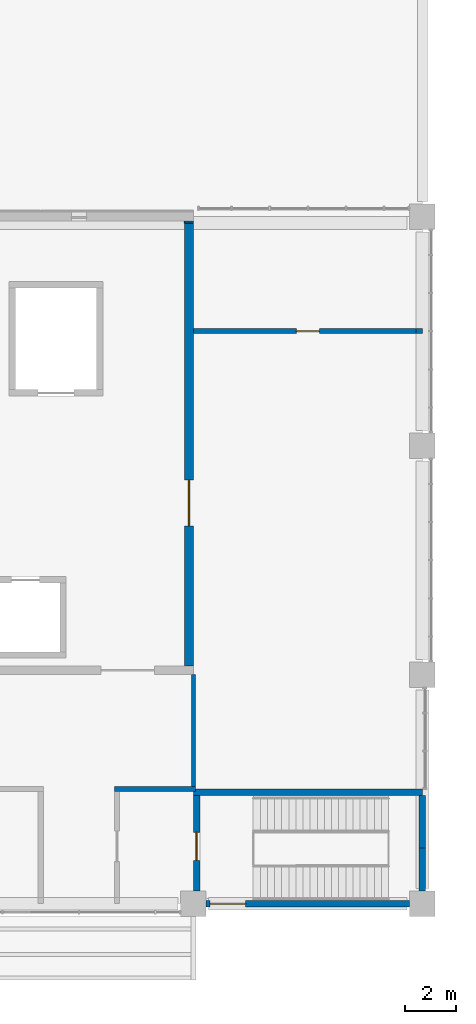
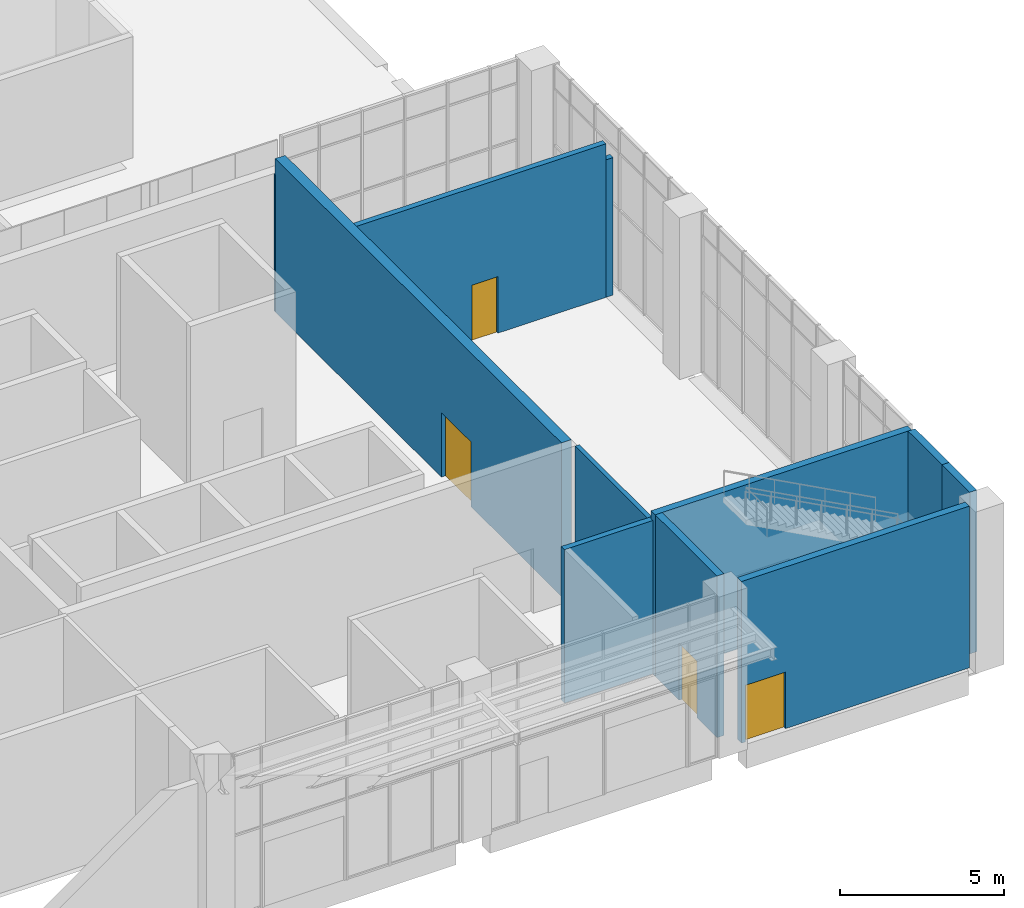
# One storey, part 61 of 86: 11 walls, 4 doors, 4 openings.
"""IFC4 building model written with IfcOpenShell, lengths in metres."""

from ifc_helpers import new_model, si_unit, direction, frame, frame_2d, origin, place, context, subcontext, project, spatial, rectangle, extrude, material, layer, layer_set, type_object, element, fill, save


model = new_model("IFC4")

# Units and contexts
model_context = context("Model", 3, precision=1e-05, world=origin(), true_north=direction((0.0, 1.0)))
body_context = subcontext(model_context, "Body", "Model", "MODEL_VIEW")
ifc_project = project(units=[si_unit("LENGTHUNIT", "METRE"), si_unit("AREAUNIT", "SQUARE_METRE"), si_unit("VOLUMEUNIT", "CUBIC_METRE"), si_unit("PLANEANGLEUNIT", "RADIAN"), si_unit("MASSUNIT", "GRAM", prefix="KILO")], contexts=[model_context])

# Site, building, storey
site_placement = place(None, origin())
site = spatial("IfcSite", under=ifc_project, at=site_placement, CompositionType="ELEMENT")
building_placement = place(site_placement, origin())
building = spatial("IfcBuilding", under=site, at=building_placement, Name="Guidao Yard Department Store", CompositionType="ELEMENT")
storey_placement = place(building_placement, origin())
storey = spatial("IfcBuildingStorey", under=building, at=storey_placement, Name="L00", CompositionType="ELEMENT", Elevation=0.0)

# Wall
ifc_material_1 = material(Name="Gypsum Board")
ifc_layer_1 = layer(ifc_material_1, 0.14990234375)
ifc_layer_set_1 = layer_set([ifc_layer_1], Name="Corridor Partition 150 Gypsum Board EI 60")
wall_type_1 = type_object("IfcWallType", Name="Corridor Partition 150 Gypsum Board EI 60", PredefinedType="PARTITIONING", material=ifc_layer_set_1)
wall_1_placement = place(storey_placement, frame((162.0, 4.60009765625, 0.0), z_axis=(0.0, 0.0, 1.0), x_axis=(0.0, 1.0, 0.0)))
element("IfcWall", 1, at=wall_1_placement, inside=storey, type_object=wall_type_1, Name="pt.wall.L00.0027", PredefinedType="PARTITIONING", context=body_context, shape_type="SweptSolid", body=[
    extrude(rectangle(XDim=4.39990234375, YDim=0.14990234375, at=frame_2d((2.199951171875, 0.0))), origin(), (0.0, 0.0, 1.0), 5.699951171875),
])

# Wall, opening, door
ifc_material_2 = material(Name="Autoclaved aerated concrete block A3.5 B06", Category="concrete")
ifc_layer_2 = layer(ifc_material_2, 0.199951171875)
ifc_layer_set_2 = layer_set([ifc_layer_2], Name="Fire Wall 200 Autoclaved Block EI 120")
wall_type_2 = type_object("IfcWallType", Name="Fire Wall 200 Autoclaved Block EI 120", PredefinedType="PARTITIONING", material=ifc_layer_set_2)
wall_2_placement = place(storey_placement, frame((162.0, 22.5, 0.0), z_axis=(0.0, 0.0, 1.0), x_axis=(1.0, 0.0, 0.0)))
wall_2 = element("IfcWall", 2, at=wall_2_placement, inside=storey, type_object=wall_type_2, Name="pt.wall.L00.0013", PredefinedType="PARTITIONING", context=body_context, shape_type="SweptSolid", body=[
    extrude(rectangle(XDim=8.75, YDim=0.199951171875, at=frame_2d((4.375, 0.0))), origin(), (0.0, 0.0, 1.0), 5.699951171875),
])
opening_1_placement = place(wall_2_placement, frame((4.050048828125, 0.0, 0.0)))
opening_1 = element("IfcOpeningElement", 3, at=opening_1_placement, cuts=wall_2, Name="Opening L00-413", PredefinedType="OPENING", context=body_context, shape_type="SweptSolid", body=[
    extrude(rectangle(XDim=0.89990234375, YDim=2.10009765625, at=frame_2d((0.449951171875, 1.050048828125))), frame((0.0, 0.10986328125, 0.0), z_axis=(0.0, -1.0, 0.0), x_axis=(1.0, 0.0, 0.0)), (0.0, 0.0, 1.0), 0.219970703125),
])
ifc_material_3 = material(Name="Timber door leaf with Steel Q235 frame", Category="steel")
door_type_1 = type_object("IfcDoorType", Name="Door 900 x 2100 FD60 Single Leaf", OperationType="SINGLE_SWING_LEFT", PredefinedType="DOOR", material=ifc_material_3)
door_1_placement = place(opening_1_placement, origin())
door_1 = element("IfcDoor", 4, at=door_1_placement, inside=storey, type_object=door_type_1, Name="Door L00-413", OperationType="SINGLE_SWING_RIGHT", OverallHeight=2.10009765625, OverallWidth=0.89990234375, PredefinedType="DOOR", context=body_context, shape_type="SweptSolid", body=[
    extrude(rectangle(XDim=0.89990234375, YDim=2.10009765625, at=frame_2d((0.449951171875, 1.050048828125))), frame((0.0, 0.02490234375, 0.0), z_axis=(0.0, -1.0, 0.0), x_axis=(1.0, 0.0, 0.0)), (0.0, 0.0, 1.0), 0.050048828125),
])
fill(opening_1, door_1)

# Walls
wall_3_placement = place(storey_placement, frame((170.75, 22.5, 0.0), z_axis=(0.0, 0.0, 1.0), x_axis=(1.0, 0.0, 0.0)))
element("IfcWall", 5, at=wall_3_placement, inside=storey, type_object=wall_type_2, Name="pt.wall.L00.0013a", PredefinedType="PARTITIONING", context=body_context, shape_type="SweptSolid", body=[
    extrude(rectangle(XDim=0.25, YDim=0.199951171875, at=frame_2d((0.125, 0.0))), origin(), (0.0, 0.0, 1.0), 5.10009765625),
])
ifc_material_4 = material(Name="Autoclaved aerated concrete block A3.5 B06", Category="concrete")
ifc_layer_3 = layer(ifc_material_4, 0.199951171875)
ifc_layer_set_3 = layer_set([ifc_layer_3], Name="Shaft Wall 200 Autoclaved Block EI 120")
wall_type_3 = type_object("IfcWallType", Name="Shaft Wall 200 Autoclaved Block EI 120", PredefinedType="PARTITIONING", material=ifc_layer_set_3)
wall_4_placement = place(storey_placement, frame((158.89990234375, 4.5, 0.0), z_axis=(0.0, 0.0, 1.0), x_axis=(1.0, 0.0, 0.0)))
element("IfcWall", 6, at=wall_4_placement, inside=storey, type_object=wall_type_3, Name="pt.wall.L00.0003", PredefinedType="PARTITIONING", context=body_context, shape_type="SweptSolid", body=[
    extrude(rectangle(XDim=3.175048828125, YDim=0.199951171875, at=frame_2d((1.58740234375, 0.0))), origin(), (0.0, 0.0, 1.0), 5.699951171875),
])

# Wall, opening, door
ifc_material_5 = material(Name="Concrete C50", Category="concrete")
ifc_layer_4 = layer(ifc_material_5, 0.35009765625)
ifc_layer_set_4 = layer_set([ifc_layer_4], Name="Shear Wall 350 Concrete C50")
wall_type_4 = type_object("IfcWallType", Name="Shear Wall 350 Concrete C50", PredefinedType="SHEAR", material=ifc_layer_set_4)
wall_5_placement = place(storey_placement, frame((161.824951171875, 9.35009765625, 0.0), z_axis=(0.0, 0.0, 1.0), x_axis=(0.0, 1.0, 0.0)))
wall_5 = element("IfcWall", 7, at=wall_5_placement, inside=storey, type_object=wall_type_4, Name="pt.wall.L00.0026", PredefinedType="SHEAR", context=body_context, shape_type="SweptSolid", body=[
    extrude(rectangle(XDim=17.39990234375, YDim=0.35009765625, at=frame_2d((8.699951171875, 0.0))), origin(), (0.0, 0.0, 1.0), 5.699951171875),
])
opening_2_placement = place(wall_5_placement, frame((7.300048828125, 0.0, 0.0), z_axis=(0.0, 0.0, 1.0), x_axis=(-1.0, 0.0, 0.0)))
opening_2 = element("IfcOpeningElement", 8, at=opening_2_placement, cuts=wall_5, Name="Opening L00-403", PredefinedType="OPENING", context=body_context, shape_type="SweptSolid", body=[
    extrude(rectangle(XDim=1.800048828125, YDim=2.39990234375, at=frame_2d((0.89990234375, 1.199951171875))), frame((0.0, 0.18505859375, 0.0), z_axis=(0.0, -1.0, 0.0), x_axis=(1.0, 0.0, 0.0)), (0.0, 0.0, 1.0), 0.3701171875),
])
ifc_material_6 = material(Name="Timber door leaf with Steel Q235 frame", Category="steel")
door_type_2 = type_object("IfcDoorType", Name="Door 1800 x 2400 FD60 Double Leaf", OperationType="DOUBLE_DOOR_SINGLE_SWING", PredefinedType="DOOR", material=ifc_material_6)
door_2_placement = place(opening_2_placement, origin())
door_2 = element("IfcDoor", 9, at=door_2_placement, inside=storey, type_object=door_type_2, Name="Door L00-403", OperationType="DOUBLE_DOOR_SINGLE_SWING", OverallHeight=2.39990234375, OverallWidth=1.800048828125, PredefinedType="DOOR", context=body_context, shape_type="SweptSolid", body=[
    extrude(rectangle(XDim=1.800048828125, YDim=2.39990234375, at=frame_2d((0.89990234375, 1.199951171875))), frame((0.0, 0.02490234375, 0.0), z_axis=(0.0, -1.0, 0.0), x_axis=(1.0, 0.0, 0.0)), (0.0, 0.0, 1.0), 0.050048828125),
])
fill(opening_2, door_2)

# Wall
wall_6_placement = place(storey_placement, frame((161.824951171875, 26.75, 0.0), z_axis=(0.0, 0.0, 1.0), x_axis=(0.0, 1.0, 0.0)))
element("IfcWall", 10, at=wall_6_placement, inside=storey, type_object=wall_type_4, Name="pt.wall.L00.0026a", PredefinedType="SHEAR", context=body_context, shape_type="SweptSolid", body=[
    extrude(rectangle(XDim=0.074951171875, YDim=0.35009765625, at=frame_2d((0.03759765625, 0.0))), origin(), (0.0, 0.0, 1.0), 5.10009765625),
])

# Wall, opening, door
ifc_material_7 = material(Name="Concrete C40", Category="concrete")
ifc_layer_5 = layer(ifc_material_7, 0.25)
ifc_layer_set_5 = layer_set([ifc_layer_5], Name="Wall RC 250 C40 stair and shaft")
wall_type_5 = type_object("IfcWallType", Name="Wall RC 250 C40 stair and shaft", PredefinedType="SHEAR", material=ifc_layer_set_5)
wall_7_placement = place(storey_placement, frame((162.5, 0.0, 0.0), z_axis=(0.0, 0.0, 1.0), x_axis=(1.0, 0.0, 0.0)))
wall_7 = element("IfcWall", 11, at=wall_7_placement, inside=storey, type_object=wall_type_5, Name="Stair wall SO2", PredefinedType="SHEAR", context=body_context, shape_type="SweptSolid", body=[
    extrude(rectangle(XDim=8.0, YDim=0.25, at=frame_2d((4.0, 0.0))), origin(), (0.0, 0.0, 1.0), 6.0),
])
opening_3_placement = place(wall_7_placement, frame((1.5498046875, 0.0, 0.0), z_axis=(0.0, 0.0, 1.0), x_axis=(-1.0, 0.0, 0.0)))
opening_3 = element("IfcOpeningElement", 12, at=opening_3_placement, cuts=wall_7, Name="Opening L00-841", PredefinedType="OPENING", context=body_context, shape_type="SweptSolid", body=[
    extrude(rectangle(XDim=1.39990234375, YDim=2.10009765625, at=frame_2d((0.699951171875, 1.050048828125))), frame((0.0, 0.135009765625, 0.0), z_axis=(0.0, -1.0, 0.0), x_axis=(1.0, 0.0, 0.0)), (0.0, 0.0, 1.0), 0.27001953125),
])
ifc_material_8 = material(Name="Steel Q235", Category="steel")
door_type_3 = type_object("IfcDoorType", Name="Door fire-resisting 1400 x 2100 FD60", OperationType="DOUBLE_DOOR_SINGLE_SWING", PredefinedType="DOOR", material=ifc_material_8)
door_3_placement = place(opening_3_placement, origin())
door_3 = element("IfcDoor", 13, at=door_3_placement, inside=storey, type_object=door_type_3, Name="Stair O2 door L00 discharge", OperationType="DOUBLE_DOOR_SINGLE_SWING", OverallHeight=2.10009765625, OverallWidth=1.39990234375, PredefinedType="DOOR", context=body_context, shape_type="SweptSolid", body=[
    extrude(rectangle(XDim=1.39990234375, YDim=2.10009765625, at=frame_2d((0.699951171875, 1.050048828125))), frame((0.0, 0.02490234375, 0.0), z_axis=(0.0, -1.0, 0.0), x_axis=(1.0, 0.0, 0.0)), (0.0, 0.0, 1.0), 0.050048828125),
])
fill(opening_3, door_3)

# Wall
wall_8_placement = place(storey_placement, frame((162.0, 4.375, 0.0), z_axis=(0.0, 0.0, 1.0), x_axis=(1.0, 0.0, 0.0)))
element("IfcWall", 14, at=wall_8_placement, inside=storey, type_object=wall_type_5, Name="Stair wall SO2", PredefinedType="SHEAR", context=body_context, shape_type="SweptSolid", body=[
    extrude(rectangle(XDim=9.0, YDim=0.25, at=frame_2d((4.5, 0.0))), origin(), (0.0, 0.0, 1.0), 6.0),
])

# Wall, opening, door
wall_9_placement = place(storey_placement, frame((162.125, 0.5, 0.0), z_axis=(0.0, 0.0, 1.0), x_axis=(0.0, 1.0, 0.0)))
wall_9 = element("IfcWall", 15, at=wall_9_placement, inside=storey, type_object=wall_type_5, Name="Stair wall SO2", PredefinedType="SHEAR", context=body_context, shape_type="SweptSolid", body=[
    extrude(rectangle(XDim=3.75, YDim=0.25, at=frame_2d((1.875, 0.0))), origin(), (0.0, 0.0, 1.0), 6.0),
])
opening_4_placement = place(wall_9_placement, frame((2.300048828125, 0.0, 0.0), z_axis=(0.0, 0.0, 1.0), x_axis=(-1.0, 0.0, 0.0)))
opening_4 = element("IfcOpeningElement", 16, at=opening_4_placement, cuts=wall_9, Name="Opening L00-840", PredefinedType="OPENING", context=body_context, shape_type="SweptSolid", body=[
    extrude(rectangle(XDim=1.10009765625, YDim=2.10009765625, at=frame_2d((0.550048828125, 1.050048828125))), frame((0.0, 0.135009765625, 0.0), z_axis=(0.0, -1.0, 0.0), x_axis=(1.0, 0.0, 0.0)), (0.0, 0.0, 1.0), 0.27001953125),
])
ifc_material_9 = material(Name="Steel Q235", Category="steel")
door_type_4 = type_object("IfcDoorType", Name="Door fire-resisting 1100 x 2100 FD60", OperationType="SINGLE_SWING_LEFT", PredefinedType="DOOR", material=ifc_material_9)
door_4_placement = place(opening_4_placement, origin())
door_4 = element("IfcDoor", 17, at=door_4_placement, inside=storey, type_object=door_type_4, Name="Stair O2 door L00", OperationType="SINGLE_SWING_RIGHT", OverallHeight=2.10009765625, OverallWidth=1.10009765625, PredefinedType="DOOR", context=body_context, shape_type="SweptSolid", body=[
    extrude(rectangle(XDim=1.10009765625, YDim=2.10009765625, at=frame_2d((0.550048828125, 1.050048828125))), frame((0.0, 0.02490234375, 0.0), z_axis=(0.0, -1.0, 0.0), x_axis=(1.0, 0.0, 0.0)), (0.0, 0.0, 1.0), 0.050048828125),
])
fill(opening_4, door_4)

# Walls
wall_10_placement = place(storey_placement, frame((171.0, 0.5, 0.0), z_axis=(0.0, 0.0, 1.0), x_axis=(0.0, 1.0, 0.0)))
element("IfcWall", 18, at=wall_10_placement, inside=storey, type_object=wall_type_5, Name="Stair wall SO2", PredefinedType="SHEAR", context=body_context, shape_type="SweptSolid", body=[
    extrude(rectangle(XDim=1.68798828125, YDim=0.25, at=frame_2d((0.843994140625, 0.0))), origin(), (0.0, 0.0, 1.0), 6.0),
])
wall_11_placement = place(storey_placement, frame((171.0, 2.18798828125, 0.0), z_axis=(0.0, 0.0, 1.0), x_axis=(0.0, 1.0, 0.0)))
element("IfcWall", 19, at=wall_11_placement, inside=storey, type_object=wall_type_5, Name="Stair wall SO2", PredefinedType="SHEAR", context=body_context, shape_type="SweptSolid", body=[
    extrude(rectangle(XDim=2.06201171875, YDim=0.25, at=frame_2d((1.031005859375, 0.0))), origin(), (0.0, 0.0, 1.0), 6.0),
])

save(model, "model.ifc")
